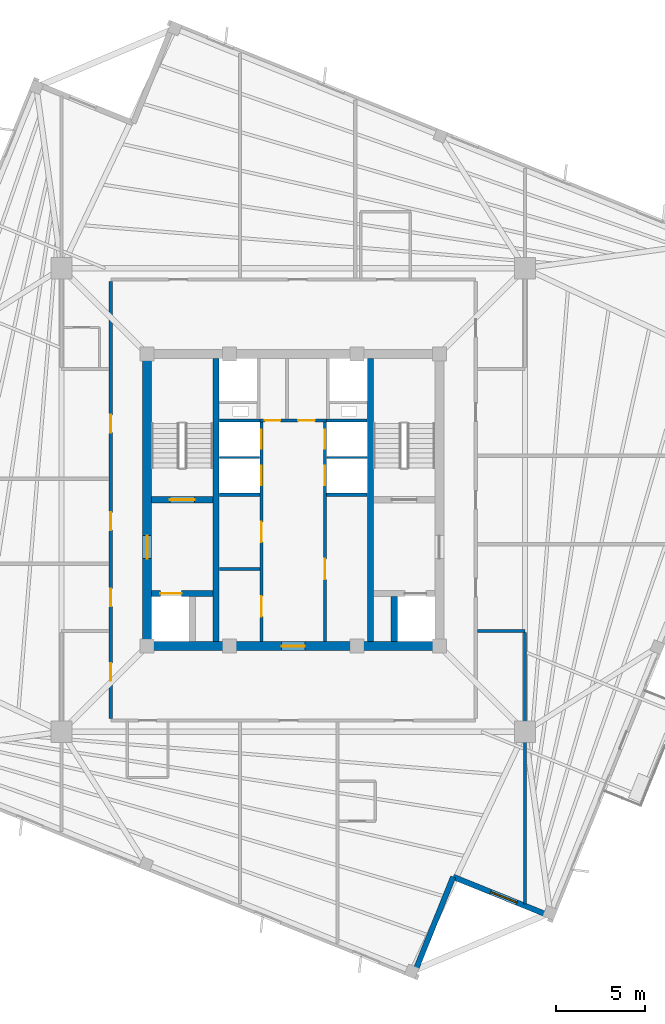
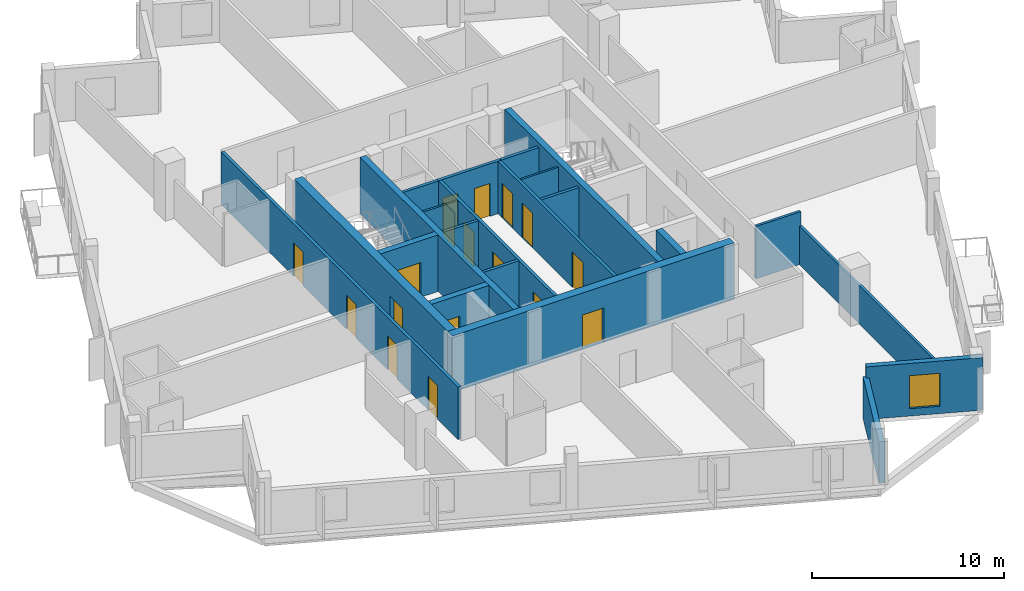
# One storey, part 3 of 8: 22 walls, 17 doors, 1 window, 18 openings.
"""IFC4 building model written with IfcOpenShell, lengths in metres."""

import ifcopenshell
import ifcopenshell.guid

model = None  # the IFC model being written
_history = None  # IfcOwnerHistory: only IFC2X3 demands one
_inside = {}  # id of a spatial element -> (the spatial element, [elements in it])
_under = {}  # id of a project, library or spatial element -> (it, [spatial elements below it])
_declared = {}  # id of a project -> (the project, [libraries it declares])
_typed = {}  # id of a type object -> (the type object, [elements of that type])
_made_of = {}  # id of a material, layer set ... -> (it, [elements and type objects made of it])


def new_model(schema):
    """Start an empty IFC model of exactly this schema.

    Asked for "IFC4X3", IfcOpenShell would pick the latest addendum, in which some entities
    have other attributes; the version numbers below select the first issue.
    IFC2X3 requires an IfcOwnerHistory on every rooted entity: one is made here for all.
    """
    global model, _history
    if schema == "IFC4X3":
        model = ifcopenshell.file(schema_version=(4, 3, 0, 0))
    else:
        model = ifcopenshell.file(schema=schema)
    _inside.clear()
    _under.clear()
    _declared.clear()
    _typed.clear()
    _made_of.clear()
    _history = None
    if model.schema == "IFC2X3":
        org = make("IfcOrganization", Name="unknown")
        user = make(
            "IfcPersonAndOrganization",
            ThePerson=make("IfcPerson", FamilyName="unknown"),
            TheOrganization=org,
        )
        app = make(
            "IfcApplication",
            ApplicationDeveloper=org,
            Version="unknown",
            ApplicationFullName="unknown",
            ApplicationIdentifier="unknown",
        )
        _history = make(
            "IfcOwnerHistory",
            OwningUser=user,
            OwningApplication=app,
            ChangeAction="ADDED",
            CreationDate=0,
        )
    return model


def make(cls, **values):
    """One entity of the class cls with the attributes given. An attribute that is None is left unset."""
    return model.create_entity(
        cls, **{name: value for name, value in values.items() if value is not None}
    )


def rooted(cls, **values):
    """An entity with a GlobalId (a new one), such as an element, a storey or a relation."""
    return make(cls, GlobalId=ifcopenshell.guid.new(), OwnerHistory=_history, **values)


def si_unit(unit_type, name, prefix=None):
    """IfcSIUnit, for example si_unit("LENGTHUNIT", "METRE", prefix="MILLI")."""
    return make("IfcSIUnit", UnitType=unit_type, Prefix=prefix, Name=name)


def assignment(units):
    """IfcUnitAssignment: the units of a project."""
    return None if units is None else make("IfcUnitAssignment", Units=units)


def point(xyz):
    """IfcCartesianPoint."""
    return None if xyz is None else make("IfcCartesianPoint", Coordinates=xyz)


def direction(xyz):
    """IfcDirection."""
    return None if xyz is None else make("IfcDirection", DirectionRatios=xyz)


def frame(location, z_axis=None, x_axis=None):
    """IfcAxis2Placement3D, a coordinate frame: its origin and axes. An axis left out is left unset."""
    return make(
        "IfcAxis2Placement3D",
        Location=point(location),
        Axis=direction(z_axis),
        RefDirection=direction(x_axis),
    )


def frame_2d(location, x_axis=None):
    """IfcAxis2Placement2D, a coordinate frame in the plane: its origin and x axis."""
    return make(
        "IfcAxis2Placement2D", Location=point(location), RefDirection=direction(x_axis)
    )


def origin():
    """The frame at (0, 0, 0) with its axes left unset."""
    return frame((0.0, 0.0, 0.0))


def place(relative_to, where):
    """IfcLocalPlacement: puts the frame where relative to a parent placement (None: the world)."""
    return make(
        "IfcLocalPlacement", PlacementRelTo=relative_to, RelativePlacement=where
    )


def context(
    kind, dimensions, precision=None, world=None, true_north=None, identifier=None
):
    """IfcGeometricRepresentationContext, for example the 3D "Model" context."""
    return make(
        "IfcGeometricRepresentationContext",
        ContextIdentifier=identifier,
        ContextType=kind,
        CoordinateSpaceDimension=dimensions,
        Precision=precision,
        WorldCoordinateSystem=world,
        TrueNorth=true_north,
    )


def subcontext(parent, identifier, kind, view, scale=None):
    """IfcGeometricRepresentationSubContext, for example "Body" below "Model"."""
    return make(
        "IfcGeometricRepresentationSubContext",
        ContextIdentifier=identifier,
        ContextType=kind,
        ParentContext=parent,
        TargetScale=scale,
        TargetView=view,
    )


def project(units=None, contexts=None):
    """IfcProject with its units and contexts."""
    return rooted(
        "IfcProject",
        Name="project",
        RepresentationContexts=contexts,
        UnitsInContext=assignment(units),
    )


def spatial(cls, under=None, at=None, **own):
    """A site, building, storey or space (cls), placed at a placement, below another one or the project."""
    s = rooted(cls, ObjectPlacement=at, **own)
    if under is not None:
        _under.setdefault(under.id(), (under, []))[1].append(s)
    return s


def profile(cls, at=None, kind="AREA", **sizes):
    """A parametric profile (cls). Its sizes go by their IFC names, for example OverallWidth=200.0."""
    return make(cls, ProfileType=kind, Position=at, **sizes)


def rectangle(**sizes):
    """IfcRectangleProfileDef."""
    return profile("IfcRectangleProfileDef", **sizes)


def extrude(swept, where, along, depth):
    """IfcExtrudedAreaSolid: the profile swept, set in the frame where, extruded along a direction by depth."""
    return make(
        "IfcExtrudedAreaSolid",
        SweptArea=swept,
        Position=where,
        ExtrudedDirection=direction(along),
        Depth=depth,
    )


def shape(context_of_items, identifier, shape_type, items):
    """IfcShapeRepresentation: the items that make up one representation, for example the "Body"."""
    return make(
        "IfcShapeRepresentation",
        ContextOfItems=context_of_items,
        RepresentationIdentifier=identifier,
        RepresentationType=shape_type,
        Items=items,
    )


def source(mapping_origin, context_of_items, identifier, shape_type, items):
    """IfcRepresentationMap: a shape defined once, which mapped items show again and again."""
    return make(
        "IfcRepresentationMap",
        MappingOrigin=mapping_origin,
        MappedRepresentation=shape(context_of_items, identifier, shape_type, items),
    )


def transform(
    local_origin,
    x_axis=None,
    y_axis=None,
    z_axis=None,
    scale=None,
    scale2=None,
    scale3=None,
    uniform=True,
):
    """IfcCartesianTransformationOperator3D, or its non-uniform kind. x_axis, y_axis, z_axis: its Axis1, 2, 3."""
    if uniform:
        return make(
            "IfcCartesianTransformationOperator3D",
            Axis1=direction(x_axis),
            Axis2=direction(y_axis),
            LocalOrigin=point(local_origin),
            Scale=scale,
            Axis3=direction(z_axis),
        )
    return make(
        "IfcCartesianTransformationOperator3DnonUniform",
        Axis1=direction(x_axis),
        Axis2=direction(y_axis),
        LocalOrigin=point(local_origin),
        Scale=scale,
        Axis3=direction(z_axis),
        Scale2=scale2,
        Scale3=scale3,
    )


def mapped(mapping_source, mapping_target):
    """IfcMappedItem: shows the shape of a source again, moved by a transform."""
    return make(
        "IfcMappedItem", MappingSource=mapping_source, MappingTarget=mapping_target
    )


def material(Name=None, Category=None):
    """IfcMaterial."""
    return make("IfcMaterial", Name=Name, Category=Category)


def layer(
    of_material, thickness, ventilated=None, Name=None, Category=None, Priority=None
):
    """IfcMaterialLayer: one layer of a wall or slab, of a material (None: an air gap)."""
    return make(
        "IfcMaterialLayer",
        Material=of_material,
        LayerThickness=thickness,
        IsVentilated=ventilated,
        Name=Name,
        Category=Category,
        Priority=Priority,
    )


def layer_set(layers, Name=None):
    """IfcMaterialLayerSet."""
    return make("IfcMaterialLayerSet", MaterialLayers=layers, LayerSetName=Name)


def made_of(thing, what):
    """Note that an element or type object is made of a material, layer set ...; save() writes the relation."""
    if what is not None:
        _made_of.setdefault(what.id(), (what, []))[1].append(thing)
    return thing


def type_object(cls, material=None, **own):
    """A type object (cls), such as IfcWallType, which elements share."""
    return made_of(rooted(cls, **own), material)


def element(
    cls,
    number,
    at=None,
    inside=None,
    cuts=None,
    type_object=None,
    material=None,
    context=None,
    identifier="Body",
    shape_type=None,
    held_by="IfcProductDefinitionShape",
    body=None,
    shapes=None,
    **own,
):
    """One element of the class cls, such as IfcWall. Its Tag is "e" and its number.

    at: its placement. inside: the storey or other place that contains it. cuts: it is an
    opening in that element (IfcRelVoidsElement). A single representation is given by context,
    identifier, shape_type and body (its items); several are given by shapes. held_by: the class
    of the entity that holds the representations. save() writes the other relations.
    """
    e = rooted(cls, Tag="e%d" % number, ObjectPlacement=at, **own)
    if body is not None:
        shapes = [shape(context, identifier, shape_type, body)]
    if shapes is not None:
        e.Representation = make(held_by, Representations=shapes)
    if inside is not None:
        _inside.setdefault(inside.id(), (inside, []))[1].append(e)
    if cuts is not None:
        rooted(
            "IfcRelVoidsElement", RelatingBuildingElement=cuts, RelatedOpeningElement=e
        )
    if type_object is not None:
        _typed.setdefault(type_object.id(), (type_object, []))[1].append(e)
    return made_of(e, material)


def fill(opening, filler):
    """IfcRelFillsElement: the door or window that sits in an opening."""
    return rooted(
        "IfcRelFillsElement",
        RelatingOpeningElement=opening,
        RelatedBuildingElement=filler,
    )


def aggregate(whole, parts):
    """IfcRelAggregates: a whole, such as a stair, and the parts it consists of."""
    return rooted("IfcRelAggregates", RelatingObject=whole, RelatedObjects=parts)


def save(model, path):
    """Write the relations noted so far, then the file.

    IfcRelAggregates (storeys below a building ...), IfcRelContainedInSpatialStructure (elements
    in a storey), IfcRelDefinesByType, IfcRelAssociatesMaterial and IfcRelDeclares: one each for
    every whole, place, type object, material and project.
    """
    for whole, parts in _under.values():
        aggregate(whole, parts)
    for where, things in _inside.values():
        rooted(
            "IfcRelContainedInSpatialStructure",
            RelatedElements=things,
            RelatingStructure=where,
        )
    for kind, things in _typed.values():
        rooted("IfcRelDefinesByType", RelatedObjects=things, RelatingType=kind)
    for what, things in _made_of.values():
        rooted("IfcRelAssociatesMaterial", RelatedObjects=things, RelatingMaterial=what)
    for by, libraries in _declared.values():
        rooted("IfcRelDeclares", RelatingContext=by, RelatedDefinitions=libraries)
    model.write(path)


model = new_model("IFC4")

# Units and contexts
model_context = context("Model", 3, precision=1e-05, world=origin(), true_north=direction((0.0, 1.0)))
body_context = subcontext(model_context, "Body", "Model", "MODEL_VIEW")
ifc_project = project(units=[si_unit("LENGTHUNIT", "METRE"), si_unit("AREAUNIT", "SQUARE_METRE"), si_unit("VOLUMEUNIT", "CUBIC_METRE"), si_unit("PLANEANGLEUNIT", "RADIAN"), si_unit("MASSUNIT", "GRAM", prefix="KILO"), si_unit("THERMODYNAMICTEMPERATUREUNIT", "KELVIN")], contexts=[model_context])

# Site, building, storey
site_placement = place(None, origin())
site = spatial("IfcSite", under=ifc_project, at=site_placement, CompositionType="ELEMENT")
building_placement = place(site_placement, origin())
building = spatial("IfcBuilding", under=site, at=building_placement, Name="Kosmvard Interchange Tower", CompositionType="ELEMENT")
storey_placement = place(building_placement, frame((0.0, 0.0, 304.800048828125)))
storey = spatial("IfcBuildingStorey", under=building, at=storey_placement, Name="L75", CompositionType="ELEMENT", Elevation=304.800048828125)

# Walls
ifc_material_1 = material(Name="Acoustic gypsum partition system")
ifc_layer_1 = layer(ifc_material_1, 0.14990234375, Name="Acoustic gypsum partition system")
ifc_layer_set_1 = layer_set([ifc_layer_1], Name="Acoustic gypsum partition system")
wall_type_1 = type_object("IfcWallType", Name="Acoustic Suite & Meeting Partition 150", PredefinedType="PARTITIONING", material=ifc_layer_set_1)
wall_1_placement = place(storey_placement, frame((10.39501953125, -7.39990234375, 0.0), z_axis=(0.0, 0.0, 1.0), x_axis=(1.0, 0.0, 0.0)))
element("IfcWall", 1, at=wall_1_placement, inside=storey, type_object=wall_type_1, Name="L75 Room Partition 13.1", PredefinedType="PARTITIONING", context=body_context, shape_type="SweptSolid", body=[
    extrude(rectangle(XDim=2.68603515625, YDim=0.14990234375, at=frame_2d((1.343017578125, 0.0))), origin(), (0.0, 0.0, 1.0), 3.349853515625),
])
wall_2_placement = place(storey_placement, frame((13.0810546875, -7.47509765625, 0.0), z_axis=(0.0, 0.0, 1.0), x_axis=(0.0, -1.0, 0.0)))
element("IfcWall", 2, at=wall_2_placement, inside=storey, type_object=wall_type_1, Name="L75 Room Partition 14.1", PredefinedType="PARTITIONING", context=body_context, shape_type="SweptSolid", body=[
    extrude(rectangle(XDim=15.341552734375, YDim=0.14990234375, at=frame_2d((7.6708984375, 0.0))), origin(), (0.0, 0.0, 1.0), 2.449951171875),
])

# Wall, openings, doors
ifc_material_2 = material(Name="Fire-rated gypsum partition system")
ifc_layer_2 = layer(ifc_material_2, 0.179931640625, Name="Fire-rated gypsum partition system")
ifc_layer_set_2 = layer_set([ifc_layer_2], Name="Fire-rated gypsum partition system")
wall_type_2 = type_object("IfcWallType", Name="Corridor & Hotel Compartment Partition 180", PredefinedType="PARTITIONING", material=ifc_layer_set_2)
wall_3_placement = place(storey_placement, frame((-1.7900390625, -7.97998046875, 0.0), z_axis=(0.0, 0.0, 1.0), x_axis=(0.0, 1.0, 0.0)))
wall_3 = element("IfcWall", 3, at=wall_3_placement, inside=storey, type_object=wall_type_2, Name="L75 West Lift Bank Front Wall", PredefinedType="PARTITIONING", context=body_context, shape_type="SweptSolid", body=[
    extrude(rectangle(XDim=12.3798828125, YDim=0.179931640625, at=frame_2d((6.18994140625, 0.0))), origin(), (0.0, 0.0, 1.0), 3.349853515625),
])
opening_1_placement = place(wall_3_placement, frame((8.800048828125, 0.0, 0.0)))
opening_1 = element("IfcOpeningElement", 4, at=opening_1_placement, cuts=wall_3, Name="Opening LD-PL-H1-L75", PredefinedType="OPENING", context=body_context, shape_type="SweptSolid", body=[
    extrude(rectangle(XDim=1.10009765625, YDim=2.199951171875, at=frame_2d((0.550048828125, 1.10009765625))), frame((0.0, 0.10009765625, 0.0), z_axis=(0.0, -1.0, 0.0), x_axis=(1.0, 0.0, 0.0)), (0.0, 0.0, 1.0), 0.199951171875),
])
opening_2_placement = place(wall_3_placement, frame((10.860107421875, 0.0, 0.0)))
opening_2 = element("IfcOpeningElement", 5, at=opening_2_placement, cuts=wall_3, Name="Opening LD-PL-H2-L75", PredefinedType="OPENING", context=body_context, shape_type="SweptSolid", body=[
    extrude(rectangle(XDim=1.10009765625, YDim=2.199951171875, at=frame_2d((0.550048828125, 1.10009765625))), frame((0.0, 0.10009765625, 0.0), z_axis=(0.0, -1.0, 0.0), x_axis=(1.0, 0.0, 0.0)), (0.0, 0.0, 1.0), 0.199951171875),
])
opening_3_placement = place(wall_3_placement, frame((1.39990234375, 0.0, 0.0)))
opening_3 = element("IfcOpeningElement", 6, at=opening_3_placement, cuts=wall_3, Name="Opening L75-CD1", PredefinedType="OPENING", context=body_context, shape_type="SweptSolid", body=[
    extrude(rectangle(XDim=1.14990234375, YDim=2.25, at=frame_2d((0.574951171875, 1.125))), frame((0.0, 0.10009765625, 0.0), z_axis=(0.0, -1.0, 0.0), x_axis=(1.0, 0.0, 0.0)), (0.0, 0.0, 1.0), 0.199951171875),
])
opening_4_placement = place(wall_3_placement, frame((5.60009765625, 0.0, 0.0)))
opening_4 = element("IfcOpeningElement", 7, at=opening_4_placement, cuts=wall_3, Name="Opening L75-CD2", PredefinedType="OPENING", context=body_context, shape_type="SweptSolid", body=[
    extrude(rectangle(XDim=1.14990234375, YDim=2.25, at=frame_2d((0.574951171875, 1.125))), frame((0.0, 0.10009765625, 0.0), z_axis=(0.0, -1.0, 0.0), x_axis=(1.0, 0.0, 0.0)), (0.0, 0.0, 1.0), 0.199951171875),
])
ifc_material_3 = material(Name="Painted fire-rated steel leaf", Category="steel")
door_type_1 = type_object("IfcDoorType", Name="Plant & Riser Fire Door 1150x2250 EI60", OperationType="NOTDEFINED", PredefinedType="DOOR", material=ifc_material_3)
shared_shape_1 = source(origin(), body_context, "Body", "SweptSolid", [
    extrude(rectangle(XDim=1.14990234375, YDim=2.25, at=frame_2d((0.574951171875, 1.125))), frame((0.0, 0.02490234375, 0.0), z_axis=(0.0, -1.0, 0.0), x_axis=(1.0, 0.0, 0.0)), (0.0, 0.0, 1.0), 0.050048828125),
])
door_1_placement = place(opening_3_placement, origin())
door_1 = element("IfcDoor", 8, at=door_1_placement, inside=storey, type_object=door_type_1, Name="L75 Core Archive Door", OperationType="SINGLE_SWING_LEFT", OverallHeight=2.25, OverallWidth=1.14990234375, PredefinedType="DOOR", context=body_context, shape_type="MappedRepresentation", body=[
    mapped(shared_shape_1, transform((0.0, 0.0, 0.0), scale=1.0)),
])
fill(opening_3, door_1)
door_2_placement = place(opening_4_placement, origin())
door_2 = element("IfcDoor", 9, at=door_2_placement, inside=storey, type_object=door_type_1, Name="L75 Mid Core Housekeeping Door", OperationType="SINGLE_SWING_RIGHT", OverallHeight=2.25, OverallWidth=1.14990234375, PredefinedType="DOOR", context=body_context, shape_type="MappedRepresentation", body=[
    mapped(shared_shape_1, transform((0.0, 0.0, 0.0), scale=1.0)),
])
fill(opening_4, door_2)
ifc_material_4 = material(Name="Brushed stainless steel sliding leaf", Category="steel")
door_type_2 = type_object("IfcDoorType", Name="Passenger Lift Sliding Landing Door 1100x2200 EI60", OperationType="DOUBLE_DOOR_SLIDING", PredefinedType="DOOR", material=ifc_material_4)
shared_shape_2 = source(origin(), body_context, "Body", "SweptSolid", [
    extrude(rectangle(XDim=1.10009765625, YDim=2.199951171875, at=frame_2d((0.550048828125, 1.10009765625))), frame((0.0, 0.02490234375, 0.0), z_axis=(0.0, -1.0, 0.0), x_axis=(1.0, 0.0, 0.0)), (0.0, 0.0, 1.0), 0.050048828125),
])
door_3_placement = place(opening_1_placement, frame((1.10009765625, 0.0, 0.0), z_axis=(0.0, 0.0, 1.0), x_axis=(-1.0, 0.0, 0.0)))
door_3 = element("IfcDoor", 10, at=door_3_placement, inside=storey, type_object=door_type_2, Name="Lift PL-H1 Landing Door L75", OperationType="DOUBLE_DOOR_SLIDING", OverallHeight=2.199951171875, OverallWidth=1.10009765625, PredefinedType="DOOR", context=body_context, shape_type="MappedRepresentation", body=[
    mapped(shared_shape_2, transform((0.0, 0.0, 0.0), scale=1.0)),
])
fill(opening_1, door_3)
door_4_placement = place(opening_2_placement, frame((1.10009765625, 0.0, 0.0), z_axis=(0.0, 0.0, 1.0), x_axis=(-1.0, 0.0, 0.0)))
door_4 = element("IfcDoor", 11, at=door_4_placement, inside=storey, type_object=door_type_2, Name="Lift PL-H2 Landing Door L75", OperationType="DOUBLE_DOOR_SLIDING", OverallHeight=2.199951171875, OverallWidth=1.10009765625, PredefinedType="DOOR", context=body_context, shape_type="MappedRepresentation", body=[
    mapped(shared_shape_2, transform((0.0, 0.0, 0.0), scale=1.0)),
])
fill(opening_2, door_4)

wall_4_placement = place(storey_placement, frame((1.7900390625, -7.97998046875, 0.0), z_axis=(0.0, 0.0, 1.0), x_axis=(0.0, 1.0, 0.0)))
wall_4 = element("IfcWall", 12, at=wall_4_placement, inside=storey, type_object=wall_type_2, Name="L75 East Lift Bank Front Wall", PredefinedType="PARTITIONING", context=body_context, shape_type="SweptSolid", body=[
    extrude(rectangle(XDim=12.3798828125, YDim=0.179931640625, at=frame_2d((6.18994140625, 0.0))), origin(), (0.0, 0.0, 1.0), 3.349853515625),
])
opening_5_placement = place(wall_4_placement, frame((8.800048828125, 0.0, 0.0)))
opening_5 = element("IfcOpeningElement", 13, at=opening_5_placement, cuts=wall_4, Name="Opening LD-PL-H3-L75", PredefinedType="OPENING", context=body_context, shape_type="SweptSolid", body=[
    extrude(rectangle(XDim=1.10009765625, YDim=2.199951171875, at=frame_2d((0.550048828125, 1.10009765625))), frame((0.0, 0.10009765625, 0.0), z_axis=(0.0, -1.0, 0.0), x_axis=(1.0, 0.0, 0.0)), (0.0, 0.0, 1.0), 0.199951171875),
])
opening_6_placement = place(wall_4_placement, frame((10.860107421875, 0.0, 0.0)))
opening_6 = element("IfcOpeningElement", 14, at=opening_6_placement, cuts=wall_4, Name="Opening LD-PL-H4-L75", PredefinedType="OPENING", context=body_context, shape_type="SweptSolid", body=[
    extrude(rectangle(XDim=1.10009765625, YDim=2.199951171875, at=frame_2d((0.550048828125, 1.10009765625))), frame((0.0, 0.10009765625, 0.0), z_axis=(0.0, -1.0, 0.0), x_axis=(1.0, 0.0, 0.0)), (0.0, 0.0, 1.0), 0.199951171875),
])
opening_7_placement = place(wall_4_placement, frame((3.5, 0.0, 0.0)))
opening_7 = element("IfcOpeningElement", 15, at=opening_7_placement, cuts=wall_4, Name="Opening L75-CD3", PredefinedType="OPENING", context=body_context, shape_type="SweptSolid", body=[
    extrude(rectangle(XDim=1.14990234375, YDim=2.25, at=frame_2d((0.574951171875, 1.125))), frame((0.0, 0.10009765625, 0.0), z_axis=(0.0, -1.0, 0.0), x_axis=(1.0, 0.0, 0.0)), (0.0, 0.0, 1.0), 0.199951171875),
])
door_5_placement = place(opening_7_placement, frame((1.14990234375, 0.0, 0.0), z_axis=(0.0, 0.0, 1.0), x_axis=(-1.0, 0.0, 0.0)))
door_5 = element("IfcDoor", 16, at=door_5_placement, inside=storey, type_object=door_type_1, Name="L75 Core Data Switch Door", OperationType="SINGLE_SWING_LEFT", OverallHeight=2.25, OverallWidth=1.14990234375, PredefinedType="DOOR", context=body_context, shape_type="MappedRepresentation", body=[
    mapped(shared_shape_1, transform((0.0, 0.0, 0.0), scale=1.0)),
])
fill(opening_7, door_5)
door_6_placement = place(opening_5_placement, origin())
door_6 = element("IfcDoor", 17, at=door_6_placement, inside=storey, type_object=door_type_2, Name="Lift PL-H3 Landing Door L75", OperationType="DOUBLE_DOOR_SLIDING", OverallHeight=2.199951171875, OverallWidth=1.10009765625, PredefinedType="DOOR", context=body_context, shape_type="MappedRepresentation", body=[
    mapped(shared_shape_2, transform((0.0, 0.0, 0.0), scale=1.0)),
])
fill(opening_5, door_6)
door_7_placement = place(opening_6_placement, origin())
door_7 = element("IfcDoor", 18, at=door_7_placement, inside=storey, type_object=door_type_2, Name="Lift PL-H4 Landing Door L75", OperationType="DOUBLE_DOOR_SLIDING", OverallHeight=2.199951171875, OverallWidth=1.10009765625, PredefinedType="DOOR", context=body_context, shape_type="MappedRepresentation", body=[
    mapped(shared_shape_2, transform((0.0, 0.0, 0.0), scale=1.0)),
])
fill(opening_6, door_7)

wall_5_placement = place(storey_placement, frame((-1.8798828125, 4.489990234375, 0.0), z_axis=(0.0, 0.0, 1.0), x_axis=(1.0, 0.0, 0.0)))
wall_5 = element("IfcWall", 19, at=wall_5_placement, inside=storey, type_object=wall_type_2, Name="L75 Lift Lobby North Partition", PredefinedType="PARTITIONING", context=body_context, shape_type="SweptSolid", body=[
    extrude(rectangle(XDim=3.759765625, YDim=0.179931640625, at=frame_2d((1.8798828125, 0.0))), origin(), (0.0, 0.0, 1.0), 3.349853515625),
])
opening_8_placement = place(wall_5_placement, frame((0.280029296875, 0.0, 0.0)))
opening_8 = element("IfcOpeningElement", 20, at=opening_8_placement, cuts=wall_5, Name="Opening L75-KD1", PredefinedType="OPENING", context=body_context, shape_type="SweptSolid", body=[
    extrude(rectangle(XDim=0.8798828125, YDim=2.10009765625, at=frame_2d((0.43994140625, 1.050048828125))), frame((0.0, 0.10009765625, 0.0), z_axis=(0.0, -1.0, 0.0), x_axis=(1.0, 0.0, 0.0)), (0.0, 0.0, 1.0), 0.199951171875),
])
opening_9_placement = place(wall_5_placement, frame((2.14990234375, 0.0, 0.0)))
opening_9 = element("IfcOpeningElement", 21, at=opening_9_placement, cuts=wall_5, Name="Opening L75-KD2", PredefinedType="OPENING", context=body_context, shape_type="SweptSolid", body=[
    extrude(rectangle(XDim=0.949951171875, YDim=2.10009765625, at=frame_2d((0.47509765625, 1.050048828125))), frame((0.0, 0.10009765625, 0.0), z_axis=(0.0, -1.0, 0.0), x_axis=(1.0, 0.0, 0.0)), (0.0, 0.0, 1.0), 0.199951171875),
])
ifc_material_5 = material(Name="Painted fire-rated timber leaf", Category="wood")
door_type_3 = type_object("IfcDoorType", Name="Core Service Fire Door 950x2100 EI30", OperationType="NOTDEFINED", PredefinedType="DOOR", material=ifc_material_5)
shared_shape_3 = source(origin(), body_context, "Body", "SweptSolid", [
    extrude(rectangle(XDim=0.949951171875, YDim=2.10009765625, at=frame_2d((0.47509765625, 1.050048828125))), frame((0.0, 0.02490234375, 0.0), z_axis=(0.0, -1.0, 0.0), x_axis=(1.0, 0.0, 0.0)), (0.0, 0.0, 1.0), 0.050048828125),
])
door_8_placement = place(opening_9_placement, origin())
door_8 = element("IfcDoor", 22, at=door_8_placement, inside=storey, type_object=door_type_3, Name="L75 Core Tea Pantry Door", OperationType="SINGLE_SWING_RIGHT", OverallHeight=2.10009765625, OverallWidth=0.949951171875, PredefinedType="DOOR", context=body_context, shape_type="MappedRepresentation", body=[
    mapped(shared_shape_3, transform((0.0, 0.0, 0.0), scale=1.0)),
])
fill(opening_9, door_8)
door_type_4 = type_object("IfcDoorType", Name="Core Cupboard Fire Door 880x2100 EI30", OperationType="NOTDEFINED", PredefinedType="DOOR", material=ifc_material_5)
shared_shape_4 = source(origin(), body_context, "Body", "SweptSolid", [
    extrude(rectangle(XDim=0.8798828125, YDim=2.10009765625, at=frame_2d((0.43994140625, 1.050048828125))), frame((0.0, 0.02490234375, 0.0), z_axis=(0.0, -1.0, 0.0), x_axis=(1.0, 0.0, 0.0)), (0.0, 0.0, 1.0), 0.050048828125),
])
door_9_placement = place(opening_8_placement, origin())
door_9 = element("IfcDoor", 23, at=door_9_placement, inside=storey, type_object=door_type_4, Name="L75 Core Cleaner Cupboard Door", OperationType="SINGLE_SWING_LEFT", OverallHeight=2.10009765625, OverallWidth=0.8798828125, PredefinedType="DOOR", context=body_context, shape_type="MappedRepresentation", body=[
    mapped(shared_shape_4, transform((0.0, 0.0, 0.0), scale=1.0)),
])
fill(opening_8, door_9)

wall_6_placement = place(storey_placement, frame((-10.300048828125, -12.35009765625, 0.0), z_axis=(0.0, 0.0, 1.0), x_axis=(0.0, 1.0, 0.0)))
wall_6 = element("IfcWall", 24, at=wall_6_placement, inside=storey, type_object=wall_type_2, Name="L75 Corridor Wall CW", PredefinedType="PARTITIONING", context=body_context, shape_type="SweptSolid", body=[
    extrude(rectangle(XDim=24.7001953125, YDim=0.179931640625, at=frame_2d((12.35009765625, 0.0))), origin(), (0.0, 0.0, 1.0), 3.349853515625),
])
opening_10_placement = place(wall_6_placement, frame((16.14990234375, 0.0, 0.0)))
opening_10 = element("IfcOpeningElement", 25, at=opening_10_placement, cuts=wall_6, Name="Opening L75-D03", PredefinedType="OPENING", context=body_context, shape_type="SweptSolid", body=[
    extrude(rectangle(XDim=1.0, YDim=2.14990234375, at=frame_2d((0.5, 1.074951171875))), frame((0.0, 0.10009765625, 0.0), z_axis=(0.0, -1.0, 0.0), x_axis=(1.0, 0.0, 0.0)), (0.0, 0.0, 1.0), 0.199951171875),
])
opening_11_placement = place(wall_6_placement, frame((2.139404296875, 0.0, 0.0)))
opening_11 = element("IfcOpeningElement", 26, at=opening_11_placement, cuts=wall_6, Name="Opening L75-D15", PredefinedType="OPENING", context=body_context, shape_type="SweptSolid", body=[
    extrude(rectangle(XDim=1.0, YDim=2.14990234375, at=frame_2d((0.5, 1.074951171875))), frame((0.0, 0.10009765625, 0.0), z_axis=(0.0, -1.0, 0.0), x_axis=(1.0, 0.0, 0.0)), (0.0, 0.0, 1.0), 0.199951171875),
])
opening_12_placement = place(wall_6_placement, frame((6.35009765625, 0.0, 0.0)))
opening_12 = element("IfcOpeningElement", 27, at=opening_12_placement, cuts=wall_6, Name="Opening L75-D16", PredefinedType="OPENING", context=body_context, shape_type="SweptSolid", body=[
    extrude(rectangle(XDim=1.0, YDim=2.14990234375, at=frame_2d((0.5, 1.074951171875))), frame((0.0, 0.10009765625, 0.0), z_axis=(0.0, -1.0, 0.0), x_axis=(1.0, 0.0, 0.0)), (0.0, 0.0, 1.0), 0.199951171875),
])
opening_13_placement = place(wall_6_placement, frame((10.64990234375, 0.0, 0.0)))
opening_13 = element("IfcOpeningElement", 28, at=opening_13_placement, cuts=wall_6, Name="Opening L75-D18", PredefinedType="OPENING", context=body_context, shape_type="SweptSolid", body=[
    extrude(rectangle(XDim=1.0, YDim=2.14990234375, at=frame_2d((0.5, 1.074951171875))), frame((0.0, 0.10009765625, 0.0), z_axis=(0.0, -1.0, 0.0), x_axis=(1.0, 0.0, 0.0)), (0.0, 0.0, 1.0), 0.199951171875),
])
ifc_material_6 = material(Name="Engineered oak fire-rated timber", Category="wood")
door_type_5 = type_object("IfcDoorType", Name="Hotel Guestroom Entrance Door 1000x2150 EI60", OperationType="NOTDEFINED", PredefinedType="DOOR", material=ifc_material_6)
shared_shape_5 = source(origin(), body_context, "Body", "SweptSolid", [
    extrude(rectangle(XDim=1.0, YDim=2.14990234375, at=frame_2d((0.5, 1.074951171875))), frame((0.0, 0.02490234375, 0.0), z_axis=(0.0, -1.0, 0.0), x_axis=(1.0, 0.0, 0.0)), (0.0, 0.0, 1.0), 0.050048828125),
])
door_10_placement = place(opening_10_placement, origin())
door_10 = element("IfcDoor", 29, at=door_10_placement, inside=storey, type_object=door_type_5, Name="L75 Hotel Sky Dining Restaurant Door", OperationType="SINGLE_SWING_LEFT", OverallHeight=2.14990234375, OverallWidth=1.0, PredefinedType="DOOR", context=body_context, shape_type="MappedRepresentation", body=[
    mapped(shared_shape_5, transform((0.0, 0.0, 0.0), scale=1.0)),
])
fill(opening_10, door_10)
door_11_placement = place(opening_11_placement, origin())
door_11 = element("IfcDoor", 30, at=door_11_placement, inside=storey, type_object=door_type_5, Name="L75 Hotel Banquet Catering Kitchen Door", OperationType="SINGLE_SWING_LEFT", OverallHeight=2.14990234375, OverallWidth=1.0, PredefinedType="DOOR", context=body_context, shape_type="MappedRepresentation", body=[
    mapped(shared_shape_5, transform((0.0, 0.0, 0.0), scale=1.0)),
])
fill(opening_11, door_11)
door_12_placement = place(opening_12_placement, origin())
door_12 = element("IfcDoor", 31, at=door_12_placement, inside=storey, type_object=door_type_5, Name="L75 Hotel Companion Junior Suite 1 Door", OperationType="SINGLE_SWING_RIGHT", OverallHeight=2.14990234375, OverallWidth=1.0, PredefinedType="DOOR", context=body_context, shape_type="MappedRepresentation", body=[
    mapped(shared_shape_5, transform((0.0, 0.0, 0.0), scale=1.0)),
])
fill(opening_12, door_12)
door_13_placement = place(opening_13_placement, origin())
door_13 = element("IfcDoor", 32, at=door_13_placement, inside=storey, type_object=door_type_5, Name="L75 Hotel Diplomatic Suite 4 Door", OperationType="SINGLE_SWING_RIGHT", OverallHeight=2.14990234375, OverallWidth=1.0, PredefinedType="DOOR", context=body_context, shape_type="MappedRepresentation", body=[
    mapped(shared_shape_5, transform((0.0, 0.0, 0.0), scale=1.0)),
])
fill(opening_13, door_13)

# Walls
ifc_material_7 = material(Name="Concrete blockwork masonry", Category="masonry")
ifc_layer_3 = layer(ifc_material_7, 0.179931640625, Name="Concrete blockwork masonry")
ifc_layer_set_3 = layer_set([ifc_layer_3], Name="Concrete blockwork masonry")
wall_type_3 = type_object("IfcWallType", Name="Riser & Lift Bank Divider Wall 180", PredefinedType="PARTITIONING", material=ifc_layer_set_3)
for number, where, z_axis, x_axis, name in (
    (33, (-4.169921875, -3.89990234375, 0.0), (0.0, 0.0, 1.0), (1.0, 0.0, 0.0), "L75 West Bank Divider BD1"),
    (34, (-4.169921875, 0.300048828125, 0.0), (0.0, 0.0, 1.0), (1.0, 0.0, 0.0), "L75 West Bank Divider BD2"),
    (35, (1.889892578125, 0.300048828125, 0.0), (0.0, 0.0, 1.0), (1.0, 0.0, 0.0), "L75 East Bank Divider BD2"),
    (36, (-4.169921875, 4.489990234375, 0.0), (0.0, 0.0, 1.0), (1.0, 0.0, 0.0), "L75 West Bank Divider BD3"),
    (37, (1.889892578125, 4.489990234375, 0.0), (0.0, 0.0, 1.0), (1.0, 0.0, 0.0), "L75 East Bank Divider BD3"),
):
    element("IfcWall", number, at=place(storey_placement, frame(where, z_axis=z_axis, x_axis=x_axis)), inside=storey, type_object=wall_type_3, Name=name, PredefinedType="PARTITIONING", context=body_context, shape_type="SweptSolid", body=[
        extrude(rectangle(XDim=2.280029296875, YDim=0.179931640625, at=frame_2d((1.14013671875, 0.0))), origin(), (0.0, 0.0, 1.0), 3.349853515625),
    ])
ifc_material_8 = material(Name="Fire-rated gypsum shaftwall system")
ifc_layer_4 = layer(ifc_material_8, 0.1201171875, Name="Fire-rated gypsum shaftwall system")
ifc_layer_set_4 = layer_set([ifc_layer_4], Name="Fire-rated gypsum shaftwall system")
wall_type_4 = type_object("IfcWallType", Name="Shaft & Riser Fire Partition 120 EI60", PredefinedType="PARTITIONING", material=ifc_layer_set_4)
for number, where, z_axis, x_axis, name in (
    (38, (-4.159912109375, 2.39990234375, 0.0), (0.0, 0.0, 1.0), (1.0, 0.0, 0.0), "L75 Shaft Divider PL-H1"),
    (39, (1.89990234375, 2.39990234375, 0.0), (0.0, 0.0, 1.0), (1.0, 0.0, 0.0), "L75 Shaft Divider PL-H3"),
):
    element("IfcWall", number, at=place(storey_placement, frame(where, z_axis=z_axis, x_axis=x_axis)), inside=storey, type_object=wall_type_4, Name=name, PredefinedType="PARTITIONING", context=body_context, shape_type="SweptSolid", body=[
        extrude(rectangle(XDim=2.260009765625, YDim=0.1201171875, at=frame_2d((1.1298828125, 0.0))), origin(), (0.0, 0.0, 1.0), 3.349853515625),
    ])
ifc_material_9 = material(Name="Concrete C60/75", Category="concrete")
ifc_layer_5 = layer(ifc_material_9, 0.360107421875, Name="Concrete C60/75")
ifc_layer_set_5 = layer_set([ifc_layer_5], Name="Concrete C60/75")
wall_type_5 = type_object("IfcWallType", Name="Stair & Lift Shaft Shear Wall 360 C60/75", PredefinedType="SHEAR", material=ifc_layer_set_5)
for number, where, z_axis, x_axis, name in (
    (40, (-4.360107421875, -8.0, 0.0), (0.0, 0.0, 1.0), (0.0, 1.0, 0.0), "L75 Shaft Shear Wall SW-W"),
    (41, (4.360107421875, -8.0, 0.0), (0.0, 0.0, 1.0), (0.0, 1.0, 0.0), "L75 Shaft Shear Wall SW-E"),
):
    element("IfcWall", number, at=place(storey_placement, frame(where, z_axis=z_axis, x_axis=x_axis)), inside=storey, type_object=wall_type_5, Name=name, PredefinedType="SHEAR", context=body_context, shape_type="SweptSolid", body=[
        extrude(rectangle(XDim=16.0, YDim=0.360107421875, at=frame_2d((8.0, 0.0))), origin(), (0.0, 0.0, 1.0), 3.599853515625),
    ])

# Wall, opening, door
wall_7_placement = place(storey_placement, frame((-8.0, 0.02001953125, 0.0), z_axis=(0.0, 0.0, 1.0), x_axis=(1.0, 0.0, 0.0)))
wall_7 = element("IfcWall", 42, at=wall_7_placement, inside=storey, type_object=wall_type_5, Name="L75 Shaft Shear Wall SW-ST1", PredefinedType="SHEAR", context=body_context, shape_type="SweptSolid", body=[
    extrude(rectangle(XDim=3.4599609375, YDim=0.360107421875, at=frame_2d((1.72998046875, 0.0))), origin(), (0.0, 0.0, 1.0), 3.599853515625),
])
opening_14_placement = place(wall_7_placement, frame((1.030029296875, 0.0, 0.0)))
opening_14 = element("IfcOpeningElement", 43, at=opening_14_placement, cuts=wall_7, Name="Opening L75-SD1", PredefinedType="OPENING", context=body_context, shape_type="SweptSolid", body=[
    extrude(rectangle(XDim=1.39990234375, YDim=2.199951171875, at=frame_2d((0.699951171875, 1.10009765625))), frame((0.0, 0.18994140625, 0.0), z_axis=(0.0, -1.0, 0.0), x_axis=(1.0, 0.0, 0.0)), (0.0, 0.0, 1.0), 0.380126953125),
])
door_type_6 = type_object("IfcDoorType", Name="Protected Stair Door 1400x2200 FD60S", OperationType="NOTDEFINED", PredefinedType="DOOR", material=ifc_material_3)
shared_shape_6 = source(origin(), body_context, "Body", "SweptSolid", [
    extrude(rectangle(XDim=1.39990234375, YDim=2.199951171875, at=frame_2d((0.699951171875, 1.10009765625))), frame((0.0, 0.02490234375, 0.0), z_axis=(0.0, -1.0, 0.0), x_axis=(1.0, 0.0, 0.0)), (0.0, 0.0, 1.0), 0.050048828125),
])
door_14_placement = place(opening_14_placement, origin())
door_14 = element("IfcDoor", 44, at=door_14_placement, inside=storey, type_object=door_type_6, Name="L75 Stair ST-1 Enclosure Door", OperationType="SINGLE_SWING_LEFT", OverallHeight=2.199951171875, OverallWidth=1.39990234375, PredefinedType="DOOR", context=body_context, shape_type="MappedRepresentation", body=[
    mapped(shared_shape_6, transform((0.0, 0.0, 0.0), scale=1.0)),
])
fill(opening_14, door_14)

wall_8_placement = place(storey_placement, frame((-8.0, -5.280029296875, 0.0), z_axis=(0.0, 0.0, 1.0), x_axis=(1.0, 0.0, 0.0)))
wall_8 = element("IfcWall", 45, at=wall_8_placement, inside=storey, type_object=wall_type_5, Name="L75 Shaft Shear Wall SW-FF1", PredefinedType="SHEAR", context=body_context, shape_type="SweptSolid", body=[
    extrude(rectangle(XDim=3.4599609375, YDim=0.360107421875, at=frame_2d((1.72998046875, 0.0))), origin(), (0.0, 0.0, 1.0), 3.599853515625),
])
opening_15_placement = place(wall_8_placement, frame((0.5, 0.0, 0.0)))
opening_15 = element("IfcOpeningElement", 46, at=opening_15_placement, cuts=wall_8, Name="Opening LD-FF-1-L75", PredefinedType="OPENING", context=body_context, shape_type="SweptSolid", body=[
    extrude(rectangle(XDim=1.199951171875, YDim=2.25, at=frame_2d((0.60009765625, 1.125))), frame((0.0, 0.18994140625, 0.0), z_axis=(0.0, -1.0, 0.0), x_axis=(1.0, 0.0, 0.0)), (0.0, 0.0, 1.0), 0.380126953125),
])
door_type_7 = type_object("IfcDoorType", Name="Firefighting Lift Sliding Landing Door 1200x2250 EI120", OperationType="DOUBLE_DOOR_SLIDING", PredefinedType="DOOR", material=ifc_material_4)
shared_shape_7 = source(origin(), body_context, "Body", "SweptSolid", [
    extrude(rectangle(XDim=1.199951171875, YDim=2.25, at=frame_2d((0.60009765625, 1.125))), frame((0.0, 0.02490234375, 0.0), z_axis=(0.0, -1.0, 0.0), x_axis=(1.0, 0.0, 0.0)), (0.0, 0.0, 1.0), 0.050048828125),
])
door_15_placement = place(opening_15_placement, origin())
door_15 = element("IfcDoor", 47, at=door_15_placement, inside=storey, type_object=door_type_7, Name="Lift FF-1 Landing Door L75", OperationType="DOUBLE_DOOR_SLIDING", OverallHeight=2.25, OverallWidth=1.199951171875, PredefinedType="DOOR", context=body_context, shape_type="MappedRepresentation", body=[
    mapped(shared_shape_7, transform((0.0, 0.0, 0.0), scale=1.0)),
])
fill(opening_15, door_15)

# Wall
wall_9_placement = place(storey_placement, frame((5.7099609375, -8.0, 0.0), z_axis=(0.0, 0.0, 1.0), x_axis=(0.0, 1.0, 0.0)))
element("IfcWall", 48, at=wall_9_placement, inside=storey, type_object=wall_type_5, Name="L75 Shaft Shear Wall SW-SM2", PredefinedType="SHEAR", context=body_context, shape_type="SweptSolid", body=[
    extrude(rectangle(XDim=2.5400390625, YDim=0.360107421875, at=frame_2d((1.27001953125, 0.0))), origin(), (0.0, 0.0, 1.0), 3.599853515625),
])

# Wall, opening, door
ifc_layer_6 = layer(ifc_material_9, 0.5, Name="Concrete C60/75")
ifc_layer_set_6 = layer_set([ifc_layer_6], Name="Concrete C60/75")
wall_type_6 = type_object("IfcWallType", Name="Upper Core Shear Wall 500 C60/75", PredefinedType="SHEAR", material=ifc_layer_set_6)
wall_10_placement = place(storey_placement, frame((-8.5, -8.25, 0.0), z_axis=(0.0, 0.0, 1.0), x_axis=(1.0, 0.0, 0.0)))
wall_10 = element("IfcWall", 49, at=wall_10_placement, inside=storey, type_object=wall_type_6, Name="L75 Core Shear Wall CW-S", PredefinedType="SHEAR", context=body_context, shape_type="SweptSolid", body=[
    extrude(rectangle(XDim=17.0, YDim=0.5, at=frame_2d((8.5, 0.0))), origin(), (0.0, 0.0, 1.0), 3.599853515625),
])
opening_16_placement = place(wall_10_placement, frame((7.85009765625, 0.0, 0.0)))
opening_16 = element("IfcOpeningElement", 50, at=opening_16_placement, cuts=wall_10, Name="Opening L75-LD0", PredefinedType="OPENING", context=body_context, shape_type="SweptSolid", body=[
    extrude(rectangle(XDim=1.300048828125, YDim=2.199951171875, at=frame_2d((0.64990234375, 1.10009765625))), frame((0.0, 0.260009765625, 0.0), z_axis=(0.0, -1.0, 0.0), x_axis=(1.0, 0.0, 0.0)), (0.0, 0.0, 1.0), 0.52001953125),
])
door_type_8 = type_object("IfcDoorType", Name="Firefighting Lobby Door 1300x2200 EI60", OperationType="NOTDEFINED", PredefinedType="DOOR", material=ifc_material_3)
shared_shape_8 = source(origin(), body_context, "Body", "SweptSolid", [
    extrude(rectangle(XDim=1.300048828125, YDim=2.199951171875, at=frame_2d((0.64990234375, 1.10009765625))), frame((0.0, 0.02490234375, 0.0), z_axis=(0.0, -1.0, 0.0), x_axis=(1.0, 0.0, 0.0)), (0.0, 0.0, 1.0), 0.050048828125),
])
door_16_placement = place(opening_16_placement, frame((1.300048828125, 0.0, 0.0), z_axis=(0.0, 0.0, 1.0), x_axis=(-1.0, 0.0, 0.0)))
door_16 = element("IfcDoor", 51, at=door_16_placement, inside=storey, type_object=door_type_8, Name="L75 Passenger Lift Lobby South Door", OperationType="SINGLE_SWING_LEFT", OverallHeight=2.199951171875, OverallWidth=1.300048828125, PredefinedType="DOOR", context=body_context, shape_type="MappedRepresentation", body=[
    mapped(shared_shape_8, transform((0.0, 0.0, 0.0), scale=1.0)),
])
fill(opening_16, door_16)

wall_11_placement = place(storey_placement, frame((-8.25, -8.0, 0.0), z_axis=(0.0, 0.0, 1.0), x_axis=(0.0, 1.0, 0.0)))
wall_11 = element("IfcWall", 52, at=wall_11_placement, inside=storey, type_object=wall_type_6, Name="L75 Core Shear Wall CW-W", PredefinedType="SHEAR", context=body_context, shape_type="SweptSolid", body=[
    extrude(rectangle(XDim=16.0, YDim=0.5, at=frame_2d((8.0, 0.0))), origin(), (0.0, 0.0, 1.0), 3.599853515625),
])
opening_17_placement = place(wall_11_placement, frame((4.68994140625, 0.0, 0.0)))
opening_17 = element("IfcOpeningElement", 53, at=opening_17_placement, cuts=wall_11, Name="Opening L75-FD1", PredefinedType="OPENING", context=body_context, shape_type="SweptSolid", body=[
    extrude(rectangle(XDim=1.300048828125, YDim=2.199951171875, at=frame_2d((0.64990234375, 1.10009765625))), frame((0.0, 0.260009765625, 0.0), z_axis=(0.0, -1.0, 0.0), x_axis=(1.0, 0.0, 0.0)), (0.0, 0.0, 1.0), 0.52001953125),
])
door_17_placement = place(opening_17_placement, frame((1.300048828125, 0.0, 0.0), z_axis=(0.0, 0.0, 1.0), x_axis=(-1.0, 0.0, 0.0)))
door_17 = element("IfcDoor", 54, at=door_17_placement, inside=storey, type_object=door_type_8, Name="L75 Firefighting Lobby West Door", OperationType="SINGLE_SWING_LEFT", OverallHeight=2.199951171875, OverallWidth=1.300048828125, PredefinedType="DOOR", context=body_context, shape_type="MappedRepresentation", body=[
    mapped(shared_shape_8, transform((0.0, 0.0, 0.0), scale=1.0)),
])
fill(opening_17, door_17)

# Wall
ifc_material_10 = material(Name="Precast concrete C45/55", Category="concrete")
ifc_layer_7 = layer(ifc_material_10, 0.31005859375, Name="Precast concrete C45/55")
ifc_layer_set_7 = layer_set([ifc_layer_7], Name="Precast concrete C45/55")
wall_type_7 = type_object("IfcWallType", Name="Upper Tower Precast Pier Wall 310 C45/55", PredefinedType="STANDARD", material=ifc_layer_set_7)
wall_12_placement = place(storey_placement, frame((6.7841796875, -26.8408203125, 0.0), z_axis=(0.0, 0.0, 1.0), x_axis=(0.374636620962, 0.927171722085, 0.0)))
element("IfcWall", 55, at=wall_12_placement, inside=storey, type_object=wall_type_7, Name="L75 Precast Facade Wall N-SW1", PredefinedType="STANDARD", context=body_context, shape_type="SweptSolid", body=[
    extrude(rectangle(XDim=6.0, YDim=0.31005859375, at=frame_2d((3.0, 0.0))), origin(), (0.0, 0.0, 1.0), 2.64990234375),
])

# Wall, opening, window
wall_13_placement = place(storey_placement, frame((9.031982421875, -21.27783203125, 0.0), z_axis=(0.0, 0.0, 1.0), x_axis=(0.927185411764, -0.374602739196, 0.0)))
wall_13 = element("IfcWall", 56, at=wall_13_placement, inside=storey, type_object=wall_type_7, Name="L75 Precast Facade Wall N-SW2", PredefinedType="STANDARD", context=body_context, shape_type="SweptSolid", body=[
    extrude(rectangle(XDim=6.155029296875, YDim=0.31005859375, at=frame_2d((3.07763671875, 0.0))), origin(), (0.0, 0.0, 1.0), 3.349853515625),
])
opening_18_placement = place(wall_13_placement, frame((2.277587890625, 0.0, 0.469970703125)))
opening_18 = element("IfcOpeningElement", 57, at=opening_18_placement, cuts=wall_13, Name="Opening L75-W24", PredefinedType="OPENING", context=body_context, shape_type="SweptSolid", body=[
    extrude(rectangle(XDim=1.60009765625, YDim=2.10009765625, at=frame_2d((0.800048828125, 1.050048828125))), frame((0.0, 0.1650390625, 0.0), z_axis=(0.0, -1.0, 0.0), x_axis=(1.0, 0.0, 0.0)), (0.0, 0.0, 1.0), 0.330078125),
])
ifc_material_11 = material(Name="Low-E acoustic double glazing", Category="glass")
window_type = type_object("IfcWindowType", Name="Zone 5 Hotel Punched Window 1600x2100", PartitioningType="SINGLE_PANEL", PredefinedType="WINDOW", material=ifc_material_11)
shared_shape_9 = source(origin(), body_context, "Body", "SweptSolid", [
    extrude(rectangle(XDim=1.60009765625, YDim=2.10009765625, at=frame_2d((0.800048828125, 1.050048828125))), frame((0.0, 0.030029296875, 0.0), z_axis=(0.0, -1.0, 0.0), x_axis=(1.0, 0.0, 0.0)), (0.0, 0.0, 1.0), 0.06005859375),
])
window_placement = place(opening_18_placement, origin())
window = element("IfcWindow", 58, at=window_placement, inside=storey, type_object=window_type, Name="L75 Corner Notch Window 24", OverallHeight=2.10009765625, OverallWidth=1.60009765625, PartitioningType="SINGLE_PANEL", PredefinedType="WINDOW", context=body_context, shape_type="MappedRepresentation", body=[
    mapped(shared_shape_9, transform((0.0, 0.0, 0.0), scale=1.0)),
])
fill(opening_18, window)

save(model, "model.ifc")
